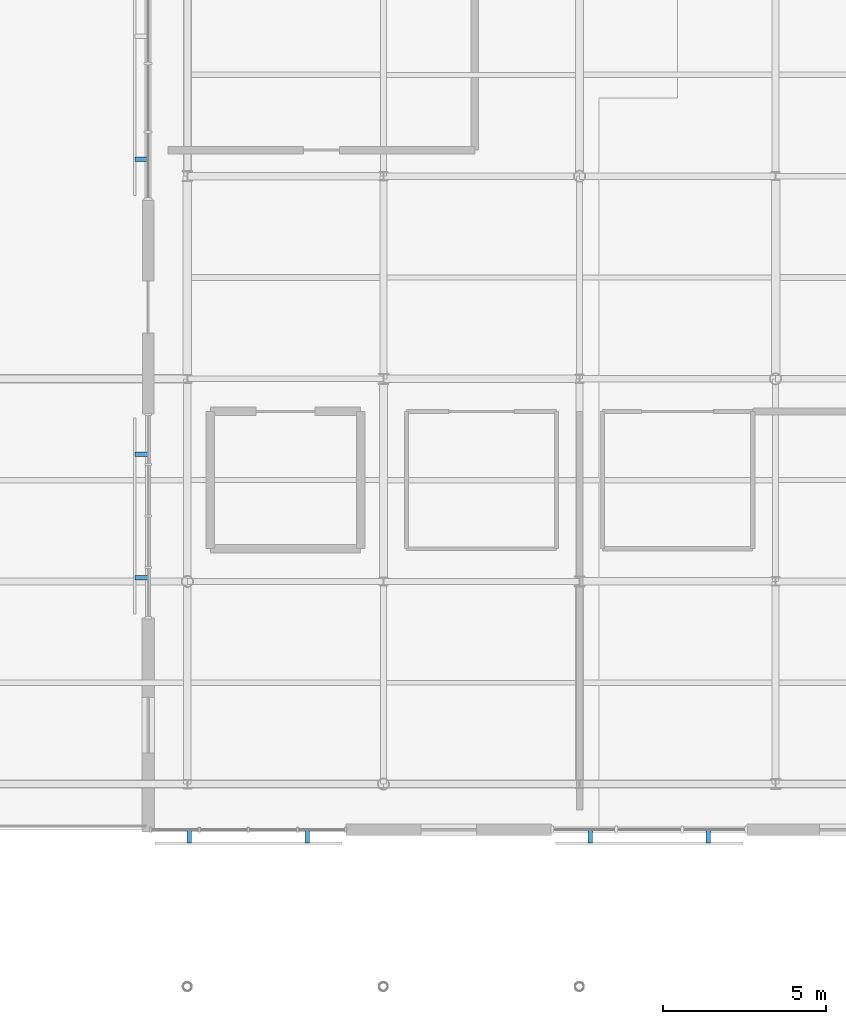
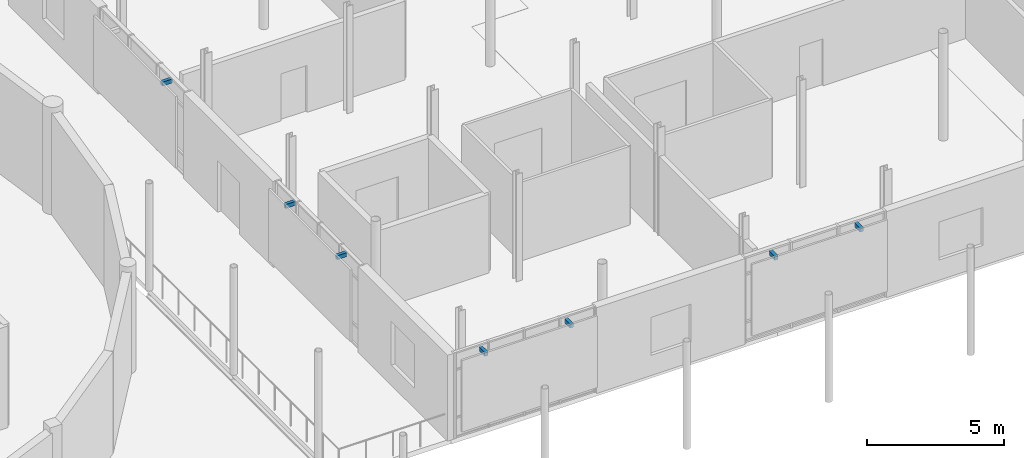
# One storey, part 66 of 84: 7 discrete accessories.
"""IFC4 building model written with IfcOpenShell, lengths in metres."""

import ifcopenshell
import ifcopenshell.guid

model = None  # the IFC model being written
_history = None  # IfcOwnerHistory: only IFC2X3 demands one
_inside = {}  # id of a spatial element -> (the spatial element, [elements in it])
_under = {}  # id of a project, library or spatial element -> (it, [spatial elements below it])
_declared = {}  # id of a project -> (the project, [libraries it declares])
_typed = {}  # id of a type object -> (the type object, [elements of that type])
_made_of = {}  # id of a material, layer set ... -> (it, [elements and type objects made of it])


def new_model(schema):
    """Start an empty IFC model of exactly this schema.

    Asked for "IFC4X3", IfcOpenShell would pick the latest addendum, in which some entities
    have other attributes; the version numbers below select the first issue.
    IFC2X3 requires an IfcOwnerHistory on every rooted entity: one is made here for all.
    """
    global model, _history
    if schema == "IFC4X3":
        model = ifcopenshell.file(schema_version=(4, 3, 0, 0))
    else:
        model = ifcopenshell.file(schema=schema)
    _inside.clear()
    _under.clear()
    _declared.clear()
    _typed.clear()
    _made_of.clear()
    _history = None
    if model.schema == "IFC2X3":
        org = make("IfcOrganization", Name="unknown")
        user = make(
            "IfcPersonAndOrganization",
            ThePerson=make("IfcPerson", FamilyName="unknown"),
            TheOrganization=org,
        )
        app = make(
            "IfcApplication",
            ApplicationDeveloper=org,
            Version="unknown",
            ApplicationFullName="unknown",
            ApplicationIdentifier="unknown",
        )
        _history = make(
            "IfcOwnerHistory",
            OwningUser=user,
            OwningApplication=app,
            ChangeAction="ADDED",
            CreationDate=0,
        )
    return model


def make(cls, **values):
    """One entity of the class cls with the attributes given. An attribute that is None is left unset."""
    return model.create_entity(
        cls, **{name: value for name, value in values.items() if value is not None}
    )


def rooted(cls, **values):
    """An entity with a GlobalId (a new one), such as an element, a storey or a relation."""
    return make(cls, GlobalId=ifcopenshell.guid.new(), OwnerHistory=_history, **values)


def si_unit(unit_type, name, prefix=None):
    """IfcSIUnit, for example si_unit("LENGTHUNIT", "METRE", prefix="MILLI")."""
    return make("IfcSIUnit", UnitType=unit_type, Prefix=prefix, Name=name)


def assignment(units):
    """IfcUnitAssignment: the units of a project."""
    return None if units is None else make("IfcUnitAssignment", Units=units)


def point(xyz):
    """IfcCartesianPoint."""
    return None if xyz is None else make("IfcCartesianPoint", Coordinates=xyz)


def direction(xyz):
    """IfcDirection."""
    return None if xyz is None else make("IfcDirection", DirectionRatios=xyz)


def frame(location, z_axis=None, x_axis=None):
    """IfcAxis2Placement3D, a coordinate frame: its origin and axes. An axis left out is left unset."""
    return make(
        "IfcAxis2Placement3D",
        Location=point(location),
        Axis=direction(z_axis),
        RefDirection=direction(x_axis),
    )


def frame_2d(location, x_axis=None):
    """IfcAxis2Placement2D, a coordinate frame in the plane: its origin and x axis."""
    return make(
        "IfcAxis2Placement2D", Location=point(location), RefDirection=direction(x_axis)
    )


def origin():
    """The frame at (0, 0, 0) with its axes left unset."""
    return frame((0.0, 0.0, 0.0))


def origin_2d():
    """The frame at (0, 0) in the plane with its x axis left unset."""
    return frame_2d((0.0, 0.0))


def place(relative_to, where):
    """IfcLocalPlacement: puts the frame where relative to a parent placement (None: the world)."""
    return make(
        "IfcLocalPlacement", PlacementRelTo=relative_to, RelativePlacement=where
    )


def context(
    kind, dimensions, precision=None, world=None, true_north=None, identifier=None
):
    """IfcGeometricRepresentationContext, for example the 3D "Model" context."""
    return make(
        "IfcGeometricRepresentationContext",
        ContextIdentifier=identifier,
        ContextType=kind,
        CoordinateSpaceDimension=dimensions,
        Precision=precision,
        WorldCoordinateSystem=world,
        TrueNorth=true_north,
    )


def subcontext(parent, identifier, kind, view, scale=None):
    """IfcGeometricRepresentationSubContext, for example "Body" below "Model"."""
    return make(
        "IfcGeometricRepresentationSubContext",
        ContextIdentifier=identifier,
        ContextType=kind,
        ParentContext=parent,
        TargetScale=scale,
        TargetView=view,
    )


def project(units=None, contexts=None):
    """IfcProject with its units and contexts."""
    return rooted(
        "IfcProject",
        Name="project",
        RepresentationContexts=contexts,
        UnitsInContext=assignment(units),
    )


def spatial(cls, under=None, at=None, **own):
    """A site, building, storey or space (cls), placed at a placement, below another one or the project."""
    s = rooted(cls, ObjectPlacement=at, **own)
    if under is not None:
        _under.setdefault(under.id(), (under, []))[1].append(s)
    return s


def profile(cls, at=None, kind="AREA", **sizes):
    """A parametric profile (cls). Its sizes go by their IFC names, for example OverallWidth=200.0."""
    return make(cls, ProfileType=kind, Position=at, **sizes)


def rectangle(**sizes):
    """IfcRectangleProfileDef."""
    return profile("IfcRectangleProfileDef", **sizes)


def extrude(swept, where, along, depth):
    """IfcExtrudedAreaSolid: the profile swept, set in the frame where, extruded along a direction by depth."""
    return make(
        "IfcExtrudedAreaSolid",
        SweptArea=swept,
        Position=where,
        ExtrudedDirection=direction(along),
        Depth=depth,
    )


def shape(context_of_items, identifier, shape_type, items):
    """IfcShapeRepresentation: the items that make up one representation, for example the "Body"."""
    return make(
        "IfcShapeRepresentation",
        ContextOfItems=context_of_items,
        RepresentationIdentifier=identifier,
        RepresentationType=shape_type,
        Items=items,
    )


def material(Name=None, Category=None):
    """IfcMaterial."""
    return make("IfcMaterial", Name=Name, Category=Category)


def made_of(thing, what):
    """Note that an element or type object is made of a material, layer set ...; save() writes the relation."""
    if what is not None:
        _made_of.setdefault(what.id(), (what, []))[1].append(thing)
    return thing


def type_object(cls, material=None, **own):
    """A type object (cls), such as IfcWallType, which elements share."""
    return made_of(rooted(cls, **own), material)


def element(
    cls,
    number,
    at=None,
    inside=None,
    cuts=None,
    type_object=None,
    material=None,
    context=None,
    identifier="Body",
    shape_type=None,
    held_by="IfcProductDefinitionShape",
    body=None,
    shapes=None,
    **own,
):
    """One element of the class cls, such as IfcWall. Its Tag is "e" and its number.

    at: its placement. inside: the storey or other place that contains it. cuts: it is an
    opening in that element (IfcRelVoidsElement). A single representation is given by context,
    identifier, shape_type and body (its items); several are given by shapes. held_by: the class
    of the entity that holds the representations. save() writes the other relations.
    """
    e = rooted(cls, Tag="e%d" % number, ObjectPlacement=at, **own)
    if body is not None:
        shapes = [shape(context, identifier, shape_type, body)]
    if shapes is not None:
        e.Representation = make(held_by, Representations=shapes)
    if inside is not None:
        _inside.setdefault(inside.id(), (inside, []))[1].append(e)
    if cuts is not None:
        rooted(
            "IfcRelVoidsElement", RelatingBuildingElement=cuts, RelatedOpeningElement=e
        )
    if type_object is not None:
        _typed.setdefault(type_object.id(), (type_object, []))[1].append(e)
    return made_of(e, material)


def aggregate(whole, parts):
    """IfcRelAggregates: a whole, such as a stair, and the parts it consists of."""
    return rooted("IfcRelAggregates", RelatingObject=whole, RelatedObjects=parts)


def save(model, path):
    """Write the relations noted so far, then the file.

    IfcRelAggregates (storeys below a building ...), IfcRelContainedInSpatialStructure (elements
    in a storey), IfcRelDefinesByType, IfcRelAssociatesMaterial and IfcRelDeclares: one each for
    every whole, place, type object, material and project.
    """
    for whole, parts in _under.values():
        aggregate(whole, parts)
    for where, things in _inside.values():
        rooted(
            "IfcRelContainedInSpatialStructure",
            RelatedElements=things,
            RelatingStructure=where,
        )
    for kind, things in _typed.values():
        rooted("IfcRelDefinesByType", RelatedObjects=things, RelatingType=kind)
    for what, things in _made_of.values():
        rooted("IfcRelAssociatesMaterial", RelatedObjects=things, RelatingMaterial=what)
    for by, libraries in _declared.values():
        rooted("IfcRelDeclares", RelatingContext=by, RelatedDefinitions=libraries)
    model.write(path)


model = new_model("IFC4")

# Units and contexts
model_context = context("Model", 3, precision=1e-05, world=origin(), true_north=direction((0.0, 1.0)))
body_context = subcontext(model_context, "Body", "Model", "MODEL_VIEW")
ifc_project = project(units=[si_unit("LENGTHUNIT", "METRE"), si_unit("AREAUNIT", "SQUARE_METRE"), si_unit("VOLUMEUNIT", "CUBIC_METRE"), si_unit("PLANEANGLEUNIT", "RADIAN"), si_unit("MASSUNIT", "GRAM", prefix="KILO")], contexts=[model_context])

# Site, building, storey
site_placement = place(None, origin())
site = spatial("IfcSite", under=ifc_project, at=site_placement, CompositionType="ELEMENT")
building_placement = place(site_placement, origin())
building = spatial("IfcBuilding", under=site, at=building_placement, Name="Mirzam Square Science Centre", CompositionType="ELEMENT")
storey_placement = place(building_placement, frame((0.0, 0.0, 10.800048828125)))
storey = spatial("IfcBuildingStorey", under=building, at=storey_placement, Name="L02", CompositionType="ELEMENT", Elevation=10.800048828125)

# Discrete accessories
ifc_material = material(Name="Steel S355", Category="steel")
discrete_accessory_type = type_object("IfcDiscreteAccessoryType", Name="BRK-BRISE-STEEL", PredefinedType="BRACKET", material=ifc_material)
for number, where, z_axis, x_axis, name in (
    (1, (108.059814453125, 41.81005859375, 3.5), (0.0, 0.0, 1.0), (1.0, 0.0, 0.0), "L02 brise-soleil support bracket 90"),
    (2, (111.673583984375, 41.81005859375, 3.5), (0.0, 0.0, 1.0), (1.0, 0.0, 0.0), "L02 brise-soleil support bracket 90"),
    (3, (120.326416015625, 41.81005859375, 3.5), (0.0, 0.0, 1.0), (1.0, 0.0, 0.0), "L02 brise-soleil support bracket 91"),
    (4, (123.940185546875, 41.81005859375, 3.5), (0.0, 0.0, 1.0), (1.0, 0.0, 0.0), "L02 brise-soleil support bracket 91"),
    (5, (106.610107421875, 62.512939453125, 3.5), (0.0, 0.0, 1.0), (0.0, -1.0, 0.0), "L02 brise-soleil support bracket 101"),
    (6, (106.610107421875, 53.487060546875, 3.5), (0.0, 0.0, 1.0), (0.0, -1.0, 0.0), "L02 brise-soleil support bracket 102"),
    (7, (106.610107421875, 49.712890625, 3.5), (0.0, 0.0, 1.0), (0.0, -1.0, 0.0), "L02 brise-soleil support bracket 102"),
):
    element("IfcDiscreteAccessory", number, at=place(storey_placement, frame(where, z_axis=z_axis, x_axis=x_axis)), inside=storey, type_object=discrete_accessory_type, Name=name, PredefinedType="BRACKET", context=body_context, shape_type="SweptSolid", body=[
        extrude(rectangle(XDim=0.139892578125, YDim=0.419921875, at=origin_2d()), origin(), (0.0, 0.0, 1.0), 0.179931640625),
    ])

save(model, "model.ifc")
